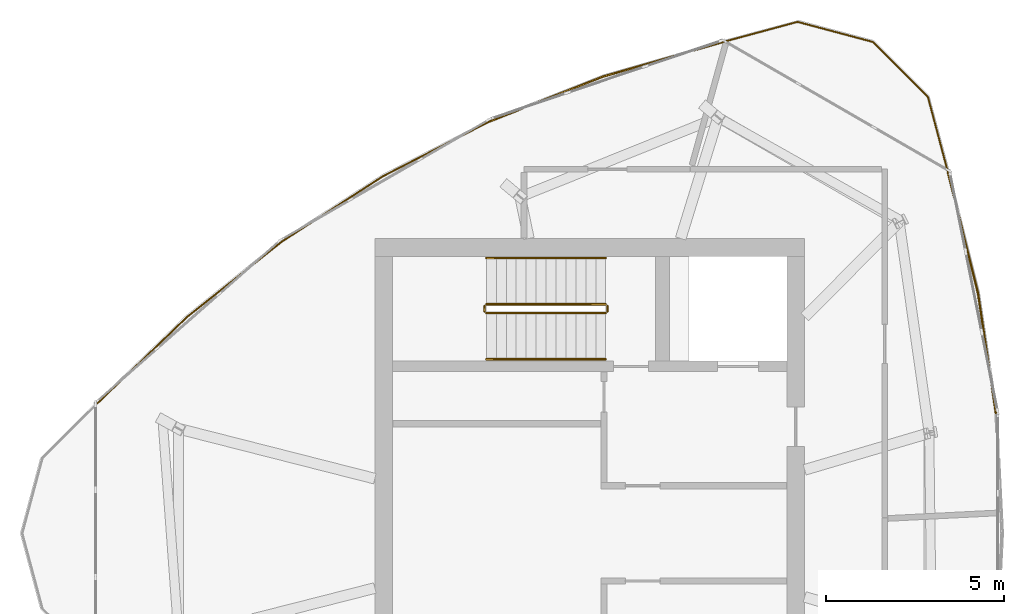
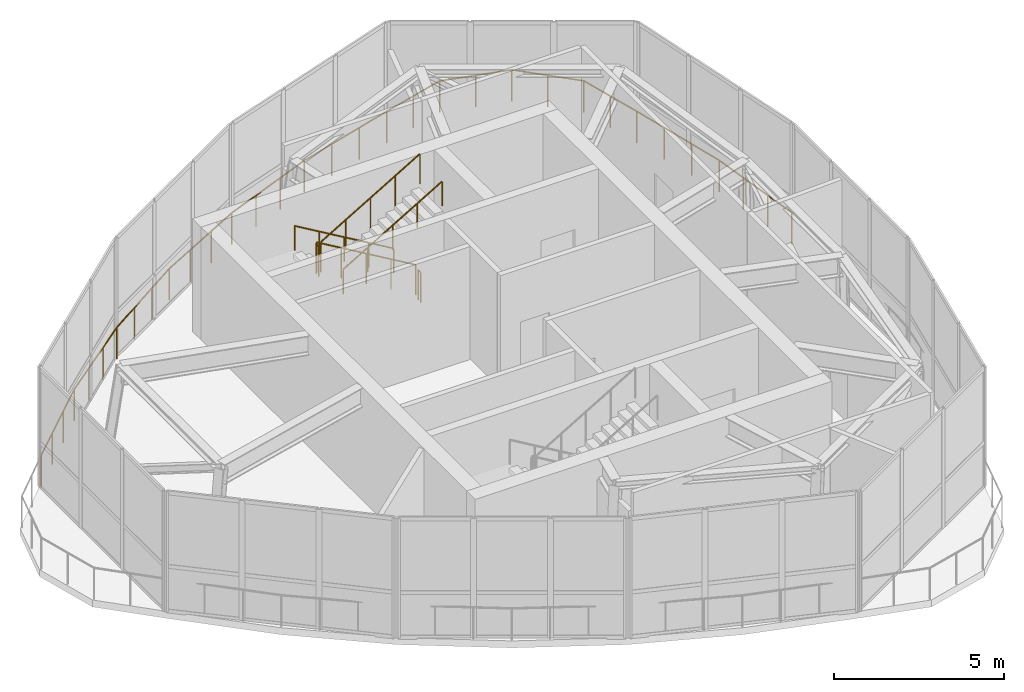
# One storey, part 10 of 10: 11 railings.
"""IFC4 building model written with IfcOpenShell, lengths in metres."""

import ifcopenshell
import ifcopenshell.guid

model = None  # the IFC model being written
_history = None  # IfcOwnerHistory: only IFC2X3 demands one
_inside = {}  # id of a spatial element -> (the spatial element, [elements in it])
_under = {}  # id of a project, library or spatial element -> (it, [spatial elements below it])
_declared = {}  # id of a project -> (the project, [libraries it declares])
_typed = {}  # id of a type object -> (the type object, [elements of that type])
_made_of = {}  # id of a material, layer set ... -> (it, [elements and type objects made of it])


def new_model(schema):
    """Start an empty IFC model of exactly this schema.

    Asked for "IFC4X3", IfcOpenShell would pick the latest addendum, in which some entities
    have other attributes; the version numbers below select the first issue.
    IFC2X3 requires an IfcOwnerHistory on every rooted entity: one is made here for all.
    """
    global model, _history
    if schema == "IFC4X3":
        model = ifcopenshell.file(schema_version=(4, 3, 0, 0))
    else:
        model = ifcopenshell.file(schema=schema)
    _inside.clear()
    _under.clear()
    _declared.clear()
    _typed.clear()
    _made_of.clear()
    _history = None
    if model.schema == "IFC2X3":
        org = make("IfcOrganization", Name="unknown")
        user = make(
            "IfcPersonAndOrganization",
            ThePerson=make("IfcPerson", FamilyName="unknown"),
            TheOrganization=org,
        )
        app = make(
            "IfcApplication",
            ApplicationDeveloper=org,
            Version="unknown",
            ApplicationFullName="unknown",
            ApplicationIdentifier="unknown",
        )
        _history = make(
            "IfcOwnerHistory",
            OwningUser=user,
            OwningApplication=app,
            ChangeAction="ADDED",
            CreationDate=0,
        )
    return model


def make(cls, **values):
    """One entity of the class cls with the attributes given. An attribute that is None is left unset."""
    return model.create_entity(
        cls, **{name: value for name, value in values.items() if value is not None}
    )


def rooted(cls, **values):
    """An entity with a GlobalId (a new one), such as an element, a storey or a relation."""
    return make(cls, GlobalId=ifcopenshell.guid.new(), OwnerHistory=_history, **values)


def si_unit(unit_type, name, prefix=None):
    """IfcSIUnit, for example si_unit("LENGTHUNIT", "METRE", prefix="MILLI")."""
    return make("IfcSIUnit", UnitType=unit_type, Prefix=prefix, Name=name)


def assignment(units):
    """IfcUnitAssignment: the units of a project."""
    return None if units is None else make("IfcUnitAssignment", Units=units)


def point(xyz):
    """IfcCartesianPoint."""
    return None if xyz is None else make("IfcCartesianPoint", Coordinates=xyz)


def direction(xyz):
    """IfcDirection."""
    return None if xyz is None else make("IfcDirection", DirectionRatios=xyz)


def frame(location, z_axis=None, x_axis=None):
    """IfcAxis2Placement3D, a coordinate frame: its origin and axes. An axis left out is left unset."""
    return make(
        "IfcAxis2Placement3D",
        Location=point(location),
        Axis=direction(z_axis),
        RefDirection=direction(x_axis),
    )


def frame_2d(location, x_axis=None):
    """IfcAxis2Placement2D, a coordinate frame in the plane: its origin and x axis."""
    return make(
        "IfcAxis2Placement2D", Location=point(location), RefDirection=direction(x_axis)
    )


def origin():
    """The frame at (0, 0, 0) with its axes left unset."""
    return frame((0.0, 0.0, 0.0))


def origin_2d():
    """The frame at (0, 0) in the plane with its x axis left unset."""
    return frame_2d((0.0, 0.0))


def place(relative_to, where):
    """IfcLocalPlacement: puts the frame where relative to a parent placement (None: the world)."""
    return make(
        "IfcLocalPlacement", PlacementRelTo=relative_to, RelativePlacement=where
    )


def context(
    kind, dimensions, precision=None, world=None, true_north=None, identifier=None
):
    """IfcGeometricRepresentationContext, for example the 3D "Model" context."""
    return make(
        "IfcGeometricRepresentationContext",
        ContextIdentifier=identifier,
        ContextType=kind,
        CoordinateSpaceDimension=dimensions,
        Precision=precision,
        WorldCoordinateSystem=world,
        TrueNorth=true_north,
    )


def subcontext(parent, identifier, kind, view, scale=None):
    """IfcGeometricRepresentationSubContext, for example "Body" below "Model"."""
    return make(
        "IfcGeometricRepresentationSubContext",
        ContextIdentifier=identifier,
        ContextType=kind,
        ParentContext=parent,
        TargetScale=scale,
        TargetView=view,
    )


def project(units=None, contexts=None):
    """IfcProject with its units and contexts."""
    return rooted(
        "IfcProject",
        Name="project",
        RepresentationContexts=contexts,
        UnitsInContext=assignment(units),
    )


def spatial(cls, under=None, at=None, **own):
    """A site, building, storey or space (cls), placed at a placement, below another one or the project."""
    s = rooted(cls, ObjectPlacement=at, **own)
    if under is not None:
        _under.setdefault(under.id(), (under, []))[1].append(s)
    return s


def profile(cls, at=None, kind="AREA", **sizes):
    """A parametric profile (cls). Its sizes go by their IFC names, for example OverallWidth=200.0."""
    return make(cls, ProfileType=kind, Position=at, **sizes)


def circle(**sizes):
    """IfcCircleProfileDef."""
    return profile("IfcCircleProfileDef", **sizes)


def extrude(swept, where, along, depth):
    """IfcExtrudedAreaSolid: the profile swept, set in the frame where, extruded along a direction by depth."""
    return make(
        "IfcExtrudedAreaSolid",
        SweptArea=swept,
        Position=where,
        ExtrudedDirection=direction(along),
        Depth=depth,
    )


def shape(context_of_items, identifier, shape_type, items):
    """IfcShapeRepresentation: the items that make up one representation, for example the "Body"."""
    return make(
        "IfcShapeRepresentation",
        ContextOfItems=context_of_items,
        RepresentationIdentifier=identifier,
        RepresentationType=shape_type,
        Items=items,
    )


def source(mapping_origin, context_of_items, identifier, shape_type, items):
    """IfcRepresentationMap: a shape defined once, which mapped items show again and again."""
    return make(
        "IfcRepresentationMap",
        MappingOrigin=mapping_origin,
        MappedRepresentation=shape(context_of_items, identifier, shape_type, items),
    )


def transform(
    local_origin,
    x_axis=None,
    y_axis=None,
    z_axis=None,
    scale=None,
    scale2=None,
    scale3=None,
    uniform=True,
):
    """IfcCartesianTransformationOperator3D, or its non-uniform kind. x_axis, y_axis, z_axis: its Axis1, 2, 3."""
    if uniform:
        return make(
            "IfcCartesianTransformationOperator3D",
            Axis1=direction(x_axis),
            Axis2=direction(y_axis),
            LocalOrigin=point(local_origin),
            Scale=scale,
            Axis3=direction(z_axis),
        )
    return make(
        "IfcCartesianTransformationOperator3DnonUniform",
        Axis1=direction(x_axis),
        Axis2=direction(y_axis),
        LocalOrigin=point(local_origin),
        Scale=scale,
        Axis3=direction(z_axis),
        Scale2=scale2,
        Scale3=scale3,
    )


def mapped(mapping_source, mapping_target):
    """IfcMappedItem: shows the shape of a source again, moved by a transform."""
    return make(
        "IfcMappedItem", MappingSource=mapping_source, MappingTarget=mapping_target
    )


def material(Name=None, Category=None):
    """IfcMaterial."""
    return make("IfcMaterial", Name=Name, Category=Category)


def made_of(thing, what):
    """Note that an element or type object is made of a material, layer set ...; save() writes the relation."""
    if what is not None:
        _made_of.setdefault(what.id(), (what, []))[1].append(thing)
    return thing


def type_object(cls, material=None, **own):
    """A type object (cls), such as IfcWallType, which elements share."""
    return made_of(rooted(cls, **own), material)


def element(
    cls,
    number,
    at=None,
    inside=None,
    cuts=None,
    type_object=None,
    material=None,
    context=None,
    identifier="Body",
    shape_type=None,
    held_by="IfcProductDefinitionShape",
    body=None,
    shapes=None,
    **own,
):
    """One element of the class cls, such as IfcWall. Its Tag is "e" and its number.

    at: its placement. inside: the storey or other place that contains it. cuts: it is an
    opening in that element (IfcRelVoidsElement). A single representation is given by context,
    identifier, shape_type and body (its items); several are given by shapes. held_by: the class
    of the entity that holds the representations. save() writes the other relations.
    """
    e = rooted(cls, Tag="e%d" % number, ObjectPlacement=at, **own)
    if body is not None:
        shapes = [shape(context, identifier, shape_type, body)]
    if shapes is not None:
        e.Representation = make(held_by, Representations=shapes)
    if inside is not None:
        _inside.setdefault(inside.id(), (inside, []))[1].append(e)
    if cuts is not None:
        rooted(
            "IfcRelVoidsElement", RelatingBuildingElement=cuts, RelatedOpeningElement=e
        )
    if type_object is not None:
        _typed.setdefault(type_object.id(), (type_object, []))[1].append(e)
    return made_of(e, material)


def aggregate(whole, parts):
    """IfcRelAggregates: a whole, such as a stair, and the parts it consists of."""
    return rooted("IfcRelAggregates", RelatingObject=whole, RelatedObjects=parts)


def save(model, path):
    """Write the relations noted so far, then the file.

    IfcRelAggregates (storeys below a building ...), IfcRelContainedInSpatialStructure (elements
    in a storey), IfcRelDefinesByType, IfcRelAssociatesMaterial and IfcRelDeclares: one each for
    every whole, place, type object, material and project.
    """
    for whole, parts in _under.values():
        aggregate(whole, parts)
    for where, things in _inside.values():
        rooted(
            "IfcRelContainedInSpatialStructure",
            RelatedElements=things,
            RelatingStructure=where,
        )
    for kind, things in _typed.values():
        rooted("IfcRelDefinesByType", RelatedObjects=things, RelatingType=kind)
    for what, things in _made_of.values():
        rooted("IfcRelAssociatesMaterial", RelatedObjects=things, RelatingMaterial=what)
    for by, libraries in _declared.values():
        rooted("IfcRelDeclares", RelatingContext=by, RelatedDefinitions=libraries)
    model.write(path)


model = new_model("IFC4")

# Units and contexts
model_context = context("Model", 3, precision=1e-05, world=origin(), true_north=direction((0.0, 1.0)))
body_context = subcontext(model_context, "Body", "Model", "MODEL_VIEW")
ifc_project = project(units=[si_unit("LENGTHUNIT", "METRE"), si_unit("AREAUNIT", "SQUARE_METRE"), si_unit("VOLUMEUNIT", "CUBIC_METRE"), si_unit("PLANEANGLEUNIT", "RADIAN"), si_unit("MASSUNIT", "GRAM", prefix="KILO")], contexts=[model_context])

# Site, building, storey
site_placement = place(None, origin())
site = spatial("IfcSite", under=ifc_project, at=site_placement, CompositionType="ELEMENT")
building_placement = place(site_placement, origin())
building = spatial("IfcBuilding", under=site, at=building_placement, Name="Qafzar Sky-Pleat Residences", CompositionType="ELEMENT")
storey_placement = place(building_placement, frame((0.0, 0.0, 270.39990234375)))
storey = spatial("IfcBuildingStorey", under=building, at=storey_placement, Name="L80 Crown", CompositionType="ELEMENT", Elevation=270.39990234375)

# Railings
ifc_material_1 = material(Name="Galvanised and bronze-coated Steel S355 guardrail", Category="steel")
railing_type_1 = type_object("IfcRailingType", Name="RAIL-EXT-1150", PredefinedType="GUARDRAIL", material=ifc_material_1)
shared_shape_1 = source(origin(), body_context, "Body", "SweptSolid", [
    extrude(circle(Radius=0.02392578125, at=origin_2d()), frame((0.0, 0.0, 1.1259765625), z_axis=(-0.147548801842, 0.98905477658, 0.0), x_axis=(-0.98905477658, -0.147548801842, 0.0)), (0.0, 0.0, 1.0), 3.42333984375),
    extrude(circle(Radius=0.02392578125, at=origin_2d()), frame((-0.505126953125, 3.385986328125, 1.1259765625), z_axis=(-0.241383735668, 0.97042974612, 0.0), x_axis=(-0.97042974612, -0.241383735668, 0.0)), (0.0, 0.0, 1.0), 3.491455078125),
    extrude(circle(Radius=0.02099609375, at=origin_2d()), origin(), (0.0, 0.0, 1.0), 1.101806640625),
    extrude(circle(Radius=0.02099609375, at=origin_2d()), frame((-0.16845703125, 1.128662109375, 0.0)), (0.0, 0.0, 1.0), 1.101806640625),
    extrude(circle(Radius=0.02099609375, at=origin_2d()), frame((-0.336669921875, 2.25732421875, 0.0)), (0.0, 0.0, 1.0), 1.101806640625),
    extrude(circle(Radius=0.02099609375, at=origin_2d()), frame((-0.505126953125, 3.385986328125, 0.0)), (0.0, 0.0, 1.0), 1.101806640625),
    extrude(circle(Radius=0.02099609375, at=origin_2d()), frame((-0.7861328125, 4.515380859375, 0.0)), (0.0, 0.0, 1.0), 1.101806640625),
    extrude(circle(Radius=0.02099609375, at=origin_2d()), frame((-1.06689453125, 5.644775390625, 0.0)), (0.0, 0.0, 1.0), 1.101806640625),
    extrude(circle(Radius=0.02099609375, at=origin_2d()), frame((-1.347900390625, 6.774169921875, 0.0)), (0.0, 0.0, 1.0), 1.101806640625),
])
railing_1_placement = place(storey_placement, frame((41.781982421875, 29.384765625, 0.0)))
element("IfcRailing", 1, at=railing_1_placement, inside=storey, type_object=railing_type_1, Name="L80 Crown Corner Maintenance Guardrail 8", PredefinedType="GUARDRAIL", context=body_context, shape_type="MappedRepresentation", body=[
    mapped(shared_shape_1, transform((0.0, 0.0, 0.0), x_axis=(1.0, 0.0, 0.0), y_axis=(0.0, 1.0, 0.0), z_axis=(0.0, 0.0, 1.0), scale=1.0)),
])
shared_shape_2 = source(origin(), body_context, "Body", "SweptSolid", [
    extrude(circle(Radius=0.02392578125, at=origin_2d()), frame((0.0, 0.0, 1.1259765625), z_axis=(-0.257316576245, 0.966327159708, 0.0), x_axis=(-0.966327159708, -0.257316576245, 0.0)), (0.0, 0.0, 1.0), 2.195556640625),
    extrude(circle(Radius=0.02392578125, at=origin_2d()), frame((-0.56494140625, 2.12158203125, 1.1259765625), z_axis=(-0.706884210608, 0.70732928173, 0.0), x_axis=(-0.70732928173, -0.706884210608, 0.0)), (0.0, 0.0, 1.0), 2.194091796875),
    extrude(circle(Radius=0.02392578125, at=origin_2d()), frame((-2.115966796875, 3.673583984375, 1.1259765625), z_axis=(-0.966214627559, 0.257738808664, 0.0), x_axis=(-0.257738808664, -0.966214627559, 0.0)), (0.0, 0.0, 1.0), 2.19482421875),
    extrude(circle(Radius=0.02392578125, at=origin_2d()), frame((-4.236572265625, 4.2392578125, 1.1259765625), z_axis=(-0.96545033274, -0.260587135161, 0.0), x_axis=(0.260587135161, -0.96545033274, 0.0)), (0.0, 0.0, 1.0), 2.197021484375),
    extrude(circle(Radius=0.02099609375, at=origin_2d()), origin(), (0.0, 0.0, 1.0), 1.101806640625),
    extrude(circle(Radius=0.02099609375, at=origin_2d()), frame((-0.282470703125, 1.060791015625, 0.0)), (0.0, 0.0, 1.0), 1.101806640625),
    extrude(circle(Radius=0.02099609375, at=origin_2d()), frame((-0.56494140625, 2.12158203125, 0.0)), (0.0, 0.0, 1.0), 1.101806640625),
    extrude(circle(Radius=0.02099609375, at=origin_2d()), frame((-1.34033203125, 2.8974609375, 0.0)), (0.0, 0.0, 1.0), 1.101806640625),
    extrude(circle(Radius=0.02099609375, at=origin_2d()), frame((-2.115966796875, 3.673583984375, 0.0)), (0.0, 0.0, 1.0), 1.101806640625),
    extrude(circle(Radius=0.02099609375, at=origin_2d()), frame((-3.17626953125, 3.95654296875, 0.0)), (0.0, 0.0, 1.0), 1.101806640625),
    extrude(circle(Radius=0.02099609375, at=origin_2d()), frame((-4.236572265625, 4.2392578125, 0.0)), (0.0, 0.0, 1.0), 1.101806640625),
    extrude(circle(Radius=0.02099609375, at=origin_2d()), frame((-5.297119140625, 3.953125, 0.0)), (0.0, 0.0, 1.0), 1.101806640625),
    extrude(circle(Radius=0.02099609375, at=origin_2d()), frame((-6.357666015625, 3.666748046875, 0.0)), (0.0, 0.0, 1.0), 1.101806640625),
])
railing_2_placement = place(storey_placement, frame((40.43408203125, 36.158935546875, 0.0)))
element("IfcRailing", 2, at=railing_2_placement, inside=storey, type_object=railing_type_1, Name="L80 Crown Corner Maintenance Guardrail 9", PredefinedType="GUARDRAIL", context=body_context, shape_type="MappedRepresentation", body=[
    mapped(shared_shape_2, transform((0.0, 0.0, 0.0), x_axis=(1.0, 0.0, 0.0), y_axis=(0.0, 1.0, 0.0), z_axis=(0.0, 0.0, 1.0), scale=1.0)),
])
shared_shape_3 = source(origin(), body_context, "Body", "SweptSolid", [
    extrude(circle(Radius=0.02392578125, at=origin_2d()), frame((0.0, 0.0, 1.1259765625), z_axis=(-0.960880478135, -0.276963367143, 0.0), x_axis=(0.276963367143, -0.960880478135, 0.0)), (0.0, 0.0, 1.0), 3.493408203125),
    extrude(circle(Radius=0.02392578125, at=origin_2d()), frame((-3.356689453125, -0.967529296875, 1.1259765625), z_axis=(-0.92993009912, -0.367736333193, 0.0), x_axis=(0.367736333193, -0.92993009912, 0.0)), (0.0, 0.0, 1.0), 3.423828125),
    extrude(circle(Radius=0.02099609375, at=origin_2d()), origin(), (0.0, 0.0, 1.0), 1.101806640625),
    extrude(circle(Radius=0.02099609375, at=origin_2d()), frame((-1.118896484375, -0.322509765625, 0.0)), (0.0, 0.0, 1.0), 1.101806640625),
    extrude(circle(Radius=0.02099609375, at=origin_2d()), frame((-2.23779296875, -0.64501953125, 0.0)), (0.0, 0.0, 1.0), 1.101806640625),
    extrude(circle(Radius=0.02099609375, at=origin_2d()), frame((-3.356689453125, -0.967529296875, 0.0)), (0.0, 0.0, 1.0), 1.101806640625),
    extrude(circle(Radius=0.02099609375, at=origin_2d()), frame((-4.41796875, -1.38720703125, 0.0)), (0.0, 0.0, 1.0), 1.101806640625),
    extrude(circle(Radius=0.02099609375, at=origin_2d()), frame((-5.479248046875, -1.806884765625, 0.0)), (0.0, 0.0, 1.0), 1.101806640625),
    extrude(circle(Radius=0.02099609375, at=origin_2d()), frame((-6.54052734375, -2.2265625, 0.0)), (0.0, 0.0, 1.0), 1.101806640625),
])
railing_3_placement = place(storey_placement, frame((34.076416015625, 39.82568359375, 0.0)))
element("IfcRailing", 3, at=railing_3_placement, inside=storey, type_object=railing_type_1, Name="L80 Crown Corner Maintenance Guardrail 10", PredefinedType="GUARDRAIL", context=body_context, shape_type="MappedRepresentation", body=[
    mapped(shared_shape_3, transform((0.0, 0.0, 0.0), x_axis=(1.0, 0.0, 0.0), y_axis=(0.0, 1.0, 0.0), z_axis=(0.0, 0.0, 1.0), scale=1.0)),
])
shared_shape_4 = source(origin(), body_context, "Body", "SweptSolid", [
    extrude(circle(Radius=0.02392578125, at=origin_2d()), frame((0.0, 0.0, 1.1259765625), z_axis=(-0.889250101292, -0.457421312744, 0.0), x_axis=(0.457421312744, -0.889250101292, 0.0)), (0.0, 0.0, 1.0), 3.386474609375),
    extrude(circle(Radius=0.02392578125, at=origin_2d()), frame((-3.011474609375, -1.549072265625, 1.1259765625), z_axis=(-0.839705624477, -0.543041862311, 0.0), x_axis=(0.543041862311, -0.839705624477, 0.0)), (0.0, 0.0, 1.0), 3.384033203125),
    extrude(circle(Radius=0.02099609375, at=origin_2d()), origin(), (0.0, 0.0, 1.0), 1.101806640625),
    extrude(circle(Radius=0.02099609375, at=origin_2d()), frame((-1.00390625, -0.516357421875, 0.0)), (0.0, 0.0, 1.0), 1.101806640625),
    extrude(circle(Radius=0.02099609375, at=origin_2d()), frame((-2.007568359375, -1.03271484375, 0.0)), (0.0, 0.0, 1.0), 1.101806640625),
    extrude(circle(Radius=0.02099609375, at=origin_2d()), frame((-3.011474609375, -1.549072265625, 0.0)), (0.0, 0.0, 1.0), 1.101806640625),
    extrude(circle(Radius=0.02099609375, at=origin_2d()), frame((-3.958740234375, -2.16162109375, 0.0)), (0.0, 0.0, 1.0), 1.101806640625),
    extrude(circle(Radius=0.02099609375, at=origin_2d()), frame((-4.90576171875, -2.774169921875, 0.0)), (0.0, 0.0, 1.0), 1.101806640625),
    extrude(circle(Radius=0.02099609375, at=origin_2d()), frame((-5.85302734375, -3.38671875, 0.0)), (0.0, 0.0, 1.0), 1.101806640625),
])
railing_4_placement = place(storey_placement, frame((27.535888671875, 37.59912109375, 0.0)))
element("IfcRailing", 4, at=railing_4_placement, inside=storey, type_object=railing_type_1, Name="L80 Crown Corner Maintenance Guardrail 11", PredefinedType="GUARDRAIL", context=body_context, shape_type="MappedRepresentation", body=[
    mapped(shared_shape_4, transform((0.0, 0.0, 0.0), x_axis=(1.0, 0.0, 0.0), y_axis=(0.0, 1.0, 0.0), z_axis=(0.0, 0.0, 1.0), scale=1.0)),
])
shared_shape_5 = source(origin(), body_context, "Body", "SweptSolid", [
    extrude(circle(Radius=0.02392578125, at=origin_2d()), frame((0.0, 0.0, 1.1259765625), z_axis=(-0.782753665972, -0.622331662707, 0.0), x_axis=(0.622331662707, -0.782753665972, 0.0)), (0.0, 0.0, 1.0), 3.418212890625),
    extrude(circle(Radius=0.02392578125, at=origin_2d()), frame((-2.675537109375, -2.127197265625, 1.1259765625), z_axis=(-0.72007661969, -0.693894560993, 0.0), x_axis=(0.693894560993, -0.72007661969, 0.0)), (0.0, 0.0, 1.0), 3.487548828125),
    extrude(circle(Radius=0.02099609375, at=origin_2d()), origin(), (0.0, 0.0, 1.0), 1.101806640625),
    extrude(circle(Radius=0.02099609375, at=origin_2d()), frame((-0.891845703125, -0.708984375, 0.0)), (0.0, 0.0, 1.0), 1.101806640625),
    extrude(circle(Radius=0.02099609375, at=origin_2d()), frame((-1.78369140625, -1.418212890625, 0.0)), (0.0, 0.0, 1.0), 1.101806640625),
    extrude(circle(Radius=0.02099609375, at=origin_2d()), frame((-2.675537109375, -2.127197265625, 0.0)), (0.0, 0.0, 1.0), 1.101806640625),
    extrude(circle(Radius=0.02099609375, at=origin_2d()), frame((-3.5126953125, -2.933837890625, 0.0)), (0.0, 0.0, 1.0), 1.101806640625),
    extrude(circle(Radius=0.02099609375, at=origin_2d()), frame((-4.349609375, -3.740478515625, 0.0)), (0.0, 0.0, 1.0), 1.101806640625),
    extrude(circle(Radius=0.02099609375, at=origin_2d()), frame((-5.186767578125, -4.547119140625, 0.0)), (0.0, 0.0, 1.0), 1.101806640625),
])
railing_5_placement = place(storey_placement, frame((21.682861328125, 34.21240234375, 0.0)))
element("IfcRailing", 5, at=railing_5_placement, inside=storey, type_object=railing_type_1, Name="L80 Crown Corner Maintenance Guardrail 12", PredefinedType="GUARDRAIL", context=body_context, shape_type="MappedRepresentation", body=[
    mapped(shared_shape_5, transform((0.0, 0.0, 0.0), x_axis=(1.0, 0.0, 0.0), y_axis=(0.0, 1.0, 0.0), z_axis=(0.0, 0.0, 1.0), scale=1.0)),
])
ifc_material_2 = material(Name="Painted Steel S355 stair guardrail", Category="steel")
railing_type_2 = type_object("IfcRailingType", Name="RAIL-STAIR-GUARD", PredefinedType="GUARDRAIL", material=ifc_material_2)
shared_shape_6 = source(origin(), body_context, "Body", "SweptSolid", [
    extrude(circle(Radius=0.02392578125, at=origin_2d()), frame((0.0, 0.0, 1.076171875), z_axis=(0.0, -1.0, 0.0), x_axis=(1.0, 0.0, 0.0)), (0.0, 0.0, 1.0), 0.14990234375),
    extrude(circle(Radius=0.02099609375, at=origin_2d()), origin(), (0.0, 0.0, 1.0), 1.052001953125),
    extrude(circle(Radius=0.02099609375, at=origin_2d()), frame((0.0, -0.14990234375, 0.0)), (0.0, 0.0, 1.0), 1.052001953125),
])
for number, where, name in (
    (6, (27.389892578125, 32.39990234375, 2.150146484375), "L80 Crown ST2 stair guard 2"),
    (7, (30.85009765625, 32.39990234375, 0.0), "L80 Crown ST2 stair guard 4"),
):
    element("IfcRailing", number, at=place(storey_placement, frame(where)), inside=storey, type_object=railing_type_2, Name=name, PredefinedType="GUARDRAIL", context=body_context, shape_type="MappedRepresentation", body=[
        mapped(shared_shape_6, transform((0.0, 0.0, 0.0), x_axis=(1.0, 0.0, 0.0), y_axis=(0.0, 1.0, 0.0), z_axis=(0.0, 0.0, 1.0), scale=1.0)),
    ])
shared_shape_7 = source(origin(), body_context, "Body", "SweptSolid", [
    extrude(circle(Radius=0.02392578125, at=origin_2d()), frame((0.0, 0.0, 1.076171875), z_axis=(-0.861027394533, 0.0, 0.50855857663), x_axis=(0.0, -1.0, 0.0)), (0.0, 0.0, 1.0), 3.90234375),
    extrude(circle(Radius=0.02099609375, at=origin_2d()), origin(), (0.0, 0.0, 1.0), 1.052001953125),
    extrude(circle(Radius=0.02099609375, at=origin_2d()), frame((-0.840087890625, 0.0, 0.49609375)), (0.0, 0.0, 1.0), 1.052001953125),
    extrude(circle(Radius=0.02099609375, at=origin_2d()), frame((-1.68017578125, 0.0, 0.9921875)), (0.0, 0.0, 1.0), 1.052001953125),
    extrude(circle(Radius=0.02099609375, at=origin_2d()), frame((-2.52001953125, 0.0, 1.488525390625)), (0.0, 0.0, 1.0), 1.052001953125),
    extrude(circle(Radius=0.02099609375, at=origin_2d()), frame((-3.360107421875, 0.0, 1.984619140625)), (0.0, 0.0, 1.0), 1.052001953125),
])
railing_6_placement = place(storey_placement, frame((30.800048828125, 32.449951171875, 0.16552734375)))
element("IfcRailing", 8, at=railing_6_placement, inside=storey, type_object=railing_type_2, Name="L80 Crown ST2 stair guard 1", PredefinedType="GUARDRAIL", context=body_context, shape_type="MappedRepresentation", body=[
    mapped(shared_shape_7, transform((0.0, 0.0, 0.0), x_axis=(1.0, 0.0, 0.0), y_axis=(0.0, 1.0, 0.0), z_axis=(0.0, 0.0, 1.0), scale=1.0)),
])
shared_shape_8 = source(origin(), body_context, "Body", "SweptSolid", [
    extrude(circle(Radius=0.02392578125, at=origin_2d()), frame((0.0, 0.0, 1.076171875), z_axis=(0.861027394533, 0.0, 0.50855857663), x_axis=(0.0, 1.0, 0.0)), (0.0, 0.0, 1.0), 3.90234375),
    extrude(circle(Radius=0.02099609375, at=origin_2d()), origin(), (0.0, 0.0, 1.0), 1.052001953125),
    extrude(circle(Radius=0.02099609375, at=origin_2d()), frame((0.840087890625, 0.0, 0.49609375)), (0.0, 0.0, 1.0), 1.052001953125),
    extrude(circle(Radius=0.02099609375, at=origin_2d()), frame((1.68017578125, 0.0, 0.9921875)), (0.0, 0.0, 1.0), 1.052001953125),
    extrude(circle(Radius=0.02099609375, at=origin_2d()), frame((2.52001953125, 0.0, 1.488525390625)), (0.0, 0.0, 1.0), 1.052001953125),
    extrude(circle(Radius=0.02099609375, at=origin_2d()), frame((3.360107421875, 0.0, 1.984619140625)), (0.0, 0.0, 1.0), 1.052001953125),
])
railing_7_placement = place(storey_placement, frame((27.43994140625, 32.199951171875, 2.3154296875)))
element("IfcRailing", 9, at=railing_7_placement, inside=storey, type_object=railing_type_2, Name="L80 Crown ST2 stair guard 3", PredefinedType="GUARDRAIL", context=body_context, shape_type="MappedRepresentation", body=[
    mapped(shared_shape_8, transform((0.0, 0.0, 0.0), x_axis=(1.0, 0.0, 0.0), y_axis=(0.0, 1.0, 0.0), z_axis=(0.0, 0.0, 1.0), scale=1.0)),
])
ifc_material_3 = material(Name="Brushed stainless steel handrail", Category="steel")
railing_type_3 = type_object("IfcRailingType", Name="RAIL-STAIR-HAND", PredefinedType="HANDRAIL", material=ifc_material_3)
shared_shape_9 = source(origin(), body_context, "Body", "SweptSolid", [
    extrude(circle(Radius=0.02392578125, at=origin_2d()), frame((0.0, 0.0, 0.8759765625), z_axis=(-0.861027394533, 0.0, 0.50855857663), x_axis=(0.0, -1.0, 0.0)), (0.0, 0.0, 1.0), 3.90234375),
    extrude(circle(Radius=0.02099609375, at=origin_2d()), origin(), (0.0, 0.0, 1.0), 0.851806640625),
    extrude(circle(Radius=0.02099609375, at=origin_2d()), frame((-0.840087890625, 0.0, 0.49609375)), (0.0, 0.0, 1.0), 0.851806640625),
    extrude(circle(Radius=0.02099609375, at=origin_2d()), frame((-1.68017578125, 0.0, 0.9921875)), (0.0, 0.0, 1.0), 0.851806640625),
    extrude(circle(Radius=0.02099609375, at=origin_2d()), frame((-2.52001953125, 0.0, 1.488525390625)), (0.0, 0.0, 1.0), 0.851806640625),
    extrude(circle(Radius=0.02099609375, at=origin_2d()), frame((-3.360107421875, 0.0, 1.984619140625)), (0.0, 0.0, 1.0), 0.851806640625),
])
railing_8_placement = place(storey_placement, frame((30.800048828125, 33.75, 0.16552734375)))
element("IfcRailing", 10, at=railing_8_placement, inside=storey, type_object=railing_type_3, Name="L80 Crown ST2 stair handrail 1", PredefinedType="HANDRAIL", context=body_context, shape_type="MappedRepresentation", body=[
    mapped(shared_shape_9, transform((0.0, 0.0, 0.0), x_axis=(1.0, 0.0, 0.0), y_axis=(0.0, 1.0, 0.0), z_axis=(0.0, 0.0, 1.0), scale=1.0)),
])
shared_shape_10 = source(origin(), body_context, "Body", "SweptSolid", [
    extrude(circle(Radius=0.02392578125, at=origin_2d()), frame((0.0, 0.0, 0.8759765625), z_axis=(0.861027394533, 0.0, 0.50855857663), x_axis=(0.0, 1.0, 0.0)), (0.0, 0.0, 1.0), 3.90234375),
    extrude(circle(Radius=0.02099609375, at=origin_2d()), origin(), (0.0, 0.0, 1.0), 0.851806640625),
    extrude(circle(Radius=0.02099609375, at=origin_2d()), frame((0.840087890625, 0.0, 0.49609375)), (0.0, 0.0, 1.0), 0.851806640625),
    extrude(circle(Radius=0.02099609375, at=origin_2d()), frame((1.68017578125, 0.0, 0.9921875)), (0.0, 0.0, 1.0), 0.851806640625),
    extrude(circle(Radius=0.02099609375, at=origin_2d()), frame((2.52001953125, 0.0, 1.488525390625)), (0.0, 0.0, 1.0), 0.851806640625),
    extrude(circle(Radius=0.02099609375, at=origin_2d()), frame((3.360107421875, 0.0, 1.984619140625)), (0.0, 0.0, 1.0), 0.851806640625),
])
railing_9_placement = place(storey_placement, frame((27.43994140625, 30.89990234375, 2.3154296875)))
element("IfcRailing", 11, at=railing_9_placement, inside=storey, type_object=railing_type_3, Name="L80 Crown ST2 stair handrail 2", PredefinedType="HANDRAIL", context=body_context, shape_type="MappedRepresentation", body=[
    mapped(shared_shape_10, transform((0.0, 0.0, 0.0), x_axis=(1.0, 0.0, 0.0), y_axis=(0.0, 1.0, 0.0), z_axis=(0.0, 0.0, 1.0), scale=1.0)),
])

save(model, "model.ifc")
